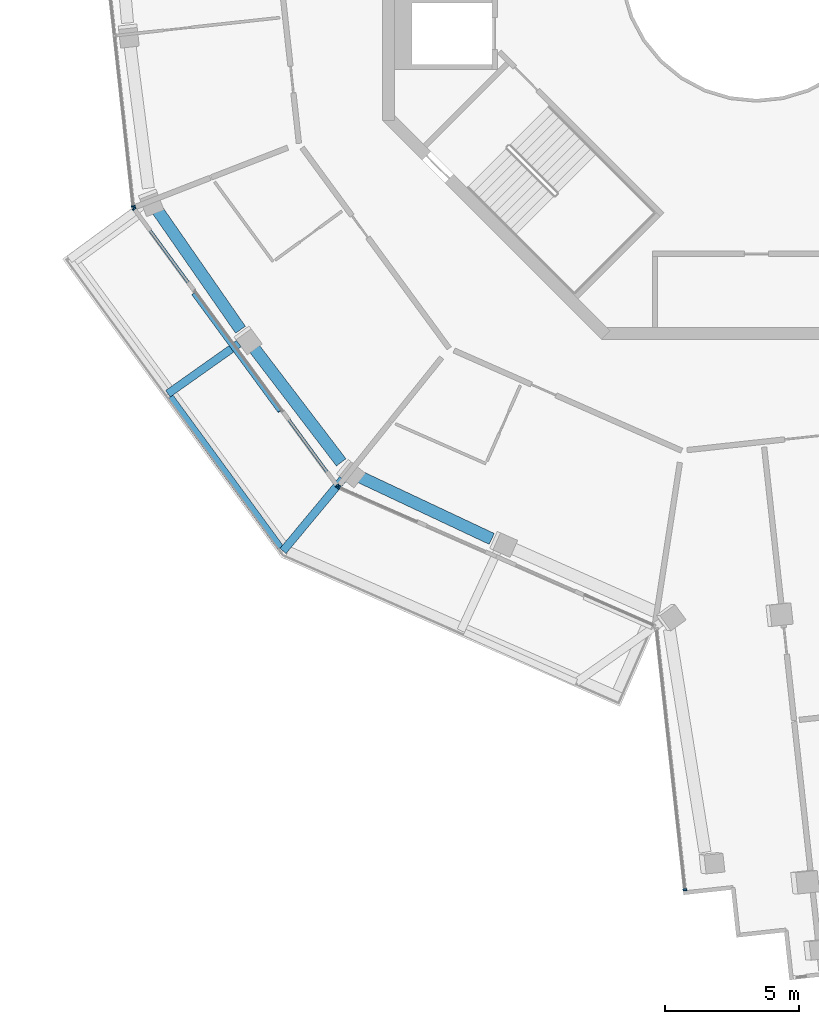
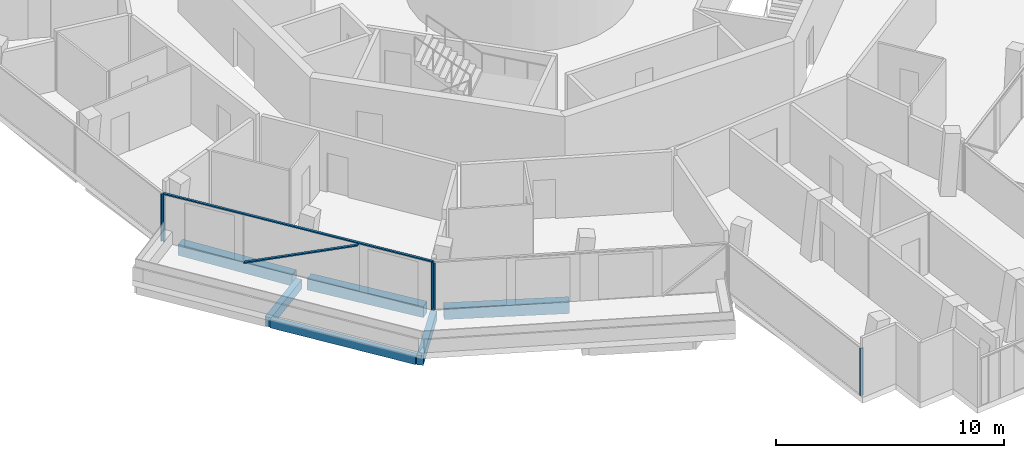
# One storey, part 2 of 24: 7 members, 6 beams, 4 elements without a shape of their own.
"""IFC4 building model written with IfcOpenShell, lengths in metres."""

from ifc_helpers import new_model, si_unit, direction, frame, origin, origin_2d, place, context, subcontext, project, spatial, rectangle, extrude, material, layer, layer_set, material_profile, profile_set, type_object, element, aggregate, save


model = new_model("IFC4")

# Units and contexts
model_context = context("Model", 3, precision=1e-05, world=origin(), true_north=direction((0.0, 1.0)))
body_context = subcontext(model_context, "Body", "Model", "MODEL_VIEW")
ifc_project = project(units=[si_unit("LENGTHUNIT", "METRE"), si_unit("AREAUNIT", "SQUARE_METRE"), si_unit("VOLUMEUNIT", "CUBIC_METRE"), si_unit("PLANEANGLEUNIT", "RADIAN"), si_unit("MASSUNIT", "GRAM", prefix="KILO")], contexts=[model_context])

# Site, building, storey
site_placement = place(None, origin())
site = spatial("IfcSite", under=ifc_project, at=site_placement, CompositionType="ELEMENT")
building_placement = place(site_placement, origin())
building = spatial("IfcBuilding", under=site, at=building_placement, Name="Verdalira Terraces Hotel", CompositionType="ELEMENT")
storey_placement = place(building_placement, frame((0.0, 0.0, 303.0)))
storey = spatial("IfcBuildingStorey", under=building, at=storey_placement, Name="L75", CompositionType="ELEMENT", Elevation=303.0)

# Beams
ifc_material_1 = material(Name="Concrete C40", Category="concrete")
ifc_material_profile_1 = material_profile(ifc_material_1, rectangle(XDim=0.300049, YDim=0.5, at=origin_2d()), Name="RC 300X500")
ifc_profile_set_1 = profile_set([ifc_material_profile_1], Name="Concrete C40")
beam_type_1 = type_object("IfcBeamType", Name="Balcony cantilever beam RC 300X500 C40", PredefinedType="BEAM", material=ifc_profile_set_1)
beam_1_placement = place(storey_placement, frame((-19.387695, -14.159668, -0.560059), z_axis=(-0.816328411, -0.577588023, 0.0), x_axis=(0.577588023, -0.816328411, 0.0)))
element("IfcBeam", 1, at=beam_1_placement, inside=storey, type_object=beam_type_1, Name="Balcony cantilever beam R12-4", PredefinedType="BEAM", context=body_context, shape_type="SweptSolid", body=[
    extrude(rectangle(XDim=0.300049, YDim=0.5, at=origin_2d()), origin(), (0.0, 0.0, 1.0), 3.250977),
])
beam_2_placement = place(storey_placement, frame((-15.494873, -19.232422, -0.560059), z_axis=(-0.639100284, -0.769123414, 0.0), x_axis=(0.769123414, -0.639100284, 0.0)))
element("IfcBeam", 2, at=beam_2_placement, inside=storey, type_object=beam_type_1, Name="Balcony cantilever beam R12-5", PredefinedType="BEAM", context=body_context, shape_type="SweptSolid", body=[
    extrude(rectangle(XDim=0.300049, YDim=0.5, at=origin_2d()), origin(), (0.0, 0.0, 1.0), 3.501953),
])
ifc_material_2 = material(Name="Concrete C40", Category="concrete")
ifc_material_profile_2 = material_profile(ifc_material_2, rectangle(XDim=0.25, YDim=0.449951, at=origin_2d()), Name="RC 250X450")
ifc_profile_set_2 = profile_set([ifc_material_profile_2], Name="Concrete C40")
beam_type_2 = type_object("IfcBeamType", Name="Balcony edge beam RC 250X450 C40", PredefinedType="BEAM", material=ifc_profile_set_2)
beam_3_placement = place(storey_placement, frame((-21.952881, -16.158447, -0.534912), z_axis=(0.590505002, -0.807033978, 0.0), x_axis=(0.807033978, 0.590505002, 0.0)))
element("IfcBeam", 3, at=beam_3_placement, inside=storey, type_object=beam_type_2, Name="Balcony edge beam R12-3", PredefinedType="BEAM", context=body_context, shape_type="SweptSolid", body=[
    extrude(rectangle(XDim=0.25, YDim=0.449951, at=origin_2d()), origin(), (0.0, 0.0, 1.0), 6.991699),
])

# Curtain wall, member
ifc_material_3 = material(Name="Clear glass", Category="glass")
ifc_layer_1 = layer(ifc_material_3, 0.14990234375)
ifc_layer_set_1 = layer_set([ifc_layer_1], Name="CW1 curtain wall")
curtain_wall_type_1 = type_object("IfcCurtainWallType", Name="CW1 curtain wall", PredefinedType="NOTDEFINED", material=ifc_layer_set_1)
curtain_wall_1_placement = place(storey_placement, origin())
curtain_wall_1 = element("IfcCurtainWall", 4, at=curtain_wall_1_placement, inside=storey, type_object=curtain_wall_type_1, Name="CW1 curtain wall L75 edge 11", PredefinedType="NOTDEFINED")
ifc_material_4 = material(Name="Terracotta frame", Category="masonry")
ifc_material_profile_3 = material_profile(ifc_material_4, rectangle(XDim=0.060059, YDim=0.149902, at=origin_2d()), Name="MU 60x150")
ifc_profile_set_3 = profile_set([ifc_material_profile_3], Name="Terracotta frame")
member_type_1 = type_object("IfcMemberType", Name="CW1 mullion 60x150", PredefinedType="MULLION", material=ifc_profile_set_3)
member_1_placement = place(storey_placement, frame((-23.341064, -9.020264, 0.0), z_axis=(0.0, 0.0, 1.0), x_axis=(0.108693378, -0.994075324, 0.0)))
member_1 = element("IfcMember", 5, at=member_1_placement, type_object=member_type_1, Name="CW1 mullion", PredefinedType="MULLION", context=body_context, shape_type="SweptSolid", body=[
    extrude(rectangle(XDim=0.060059, YDim=0.149902, at=origin_2d()), origin(), (0.0, 0.0, 1.0), 2.524902),
])
aggregate(curtain_wall_1, [member_1])

# Curtain wall, members
curtain_wall_2_placement = place(storey_placement, origin())
curtain_wall_2 = element("IfcCurtainWall", 6, at=curtain_wall_2_placement, inside=storey, type_object=curtain_wall_type_1, Name="CW1 curtain wall L75 edge 12", PredefinedType="NOTDEFINED")
member_2_placement = place(storey_placement, frame((-23.306152, -9.110596, 0.0), z_axis=(0.0, 0.0, 1.0), x_axis=(0.591168888, -0.806547795, 0.0)))
member_2 = element("IfcMember", 7, at=member_2_placement, type_object=member_type_1, Name="CW1 mullion", PredefinedType="MULLION", context=body_context, shape_type="SweptSolid", body=[
    extrude(rectangle(XDim=0.060059, YDim=0.149902, at=origin_2d()), origin(), (0.0, 0.0, 1.0), 2.524902),
])
member_3_placement = place(storey_placement, frame((-15.703857, -19.482422, 0.0), z_axis=(0.0, 0.0, 1.0), x_axis=(0.591168888, -0.806547795, 0.0)))
member_3 = element("IfcMember", 8, at=member_3_placement, type_object=member_type_1, Name="CW1 mullion", PredefinedType="MULLION", context=body_context, shape_type="SweptSolid", body=[
    extrude(rectangle(XDim=0.060059, YDim=0.149902, at=origin_2d()), origin(), (0.0, 0.0, 1.0), 2.524902),
])

# Curtain wall, member
curtain_wall_3_placement = place(storey_placement, origin())
curtain_wall_3 = element("IfcCurtainWall", 9, at=curtain_wall_3_placement, inside=storey, type_object=curtain_wall_type_1, Name="CW1 curtain wall L75 edge 13", PredefinedType="NOTDEFINED")
member_4_placement = place(storey_placement, frame((-15.628418, -19.542969, 0.0), z_axis=(0.0, 0.0, 1.0), x_axis=(0.915241173, -0.402906436, 0.0)))
member_4 = element("IfcMember", 10, at=member_4_placement, type_object=member_type_1, Name="CW1 mullion", PredefinedType="MULLION", context=body_context, shape_type="SweptSolid", body=[
    extrude(rectangle(XDim=0.060059, YDim=0.149902, at=origin_2d()), origin(), (0.0, 0.0, 1.0), 2.524902),
])
aggregate(curtain_wall_3, [member_4])

# Member
ifc_material_5 = material(Name="Terracotta frame", Category="masonry")
ifc_material_profile_4 = material_profile(ifc_material_5, rectangle(XDim=0.110107, YDim=0.064941, at=origin_2d()), Name="TR 65x110")
ifc_profile_set_4 = profile_set([ifc_material_profile_4], Name="Terracotta frame")
member_type_2 = type_object("IfcMemberType", Name="CW1 transom 65x110", PredefinedType="USERDEFINED", material=ifc_profile_set_4)
member_5_placement = place(storey_placement, frame((-23.32373, -9.086182, 2.557617), z_axis=(0.591153101, -0.806559366, 0.0), x_axis=(0.806559366, 0.591153101, 0.0)))
member_5 = element("IfcMember", 11, at=member_5_placement, type_object=member_type_2, Name="CW1 transom", ObjectType="TRANSOM", PredefinedType="USERDEFINED", context=body_context, shape_type="SweptSolid", body=[
    extrude(rectangle(XDim=0.110107, YDim=0.064941, at=origin_2d()), origin(), (0.0, 0.0, 1.0), 12.919678),
])

# Curtain wall, member
ifc_material_6 = material(Name="Clear glass", Category="glass")
ifc_layer_2 = layer(ifc_material_6, 0.14990234375)
ifc_layer_set_2 = layer_set([ifc_layer_2], Name="CW2 curtain wall")
curtain_wall_type_2 = type_object("IfcCurtainWallType", Name="CW2 curtain wall", PredefinedType="NOTDEFINED", material=ifc_layer_set_2)
curtain_wall_4_placement = place(storey_placement, origin())
curtain_wall_4 = element("IfcCurtainWall", 12, at=curtain_wall_4_placement, inside=storey, type_object=curtain_wall_type_2, Name="CW2 curtain wall L75 edge 14", PredefinedType="NOTDEFINED")
ifc_material_7 = material(Name="Terracotta frame", Category="masonry")
ifc_material_profile_5 = material_profile(ifc_material_7, rectangle(XDim=0.070068, YDim=0.149902, at=origin_2d()), Name="MU 70x150")
ifc_profile_set_5 = profile_set([ifc_material_profile_5], Name="Terracotta frame")
member_type_3 = type_object("IfcMemberType", Name="CW2 mullion 70x150", PredefinedType="MULLION", material=ifc_profile_set_5)
member_6_placement = place(storey_placement, frame((-2.678467, -34.614746, 0.0), z_axis=(0.0, 0.0, 1.0), x_axis=(0.108693378, -0.994075324, 0.0)))
member_6 = element("IfcMember", 13, at=member_6_placement, type_object=member_type_3, Name="CW2 mullion", PredefinedType="MULLION", context=body_context, shape_type="SweptSolid", body=[
    extrude(rectangle(XDim=0.070068, YDim=0.149902, at=origin_2d()), origin(), (0.0, 0.0, 1.0), 2.524902),
])
aggregate(curtain_wall_4, [member_6])

# Member
ifc_material_8 = material(Name="Terracotta frame", Category="masonry")
ifc_material_profile_6 = material_profile(ifc_material_8, rectangle(XDim=0.149902, YDim=0.060059, at=origin_2d()), Name="GB 60x150")
ifc_profile_set_6 = profile_set([ifc_material_profile_6], Name="Terracotta frame")
member_type_4 = type_object("IfcMemberType", Name="Diagonal glazing bar 60x150", PredefinedType="USERDEFINED", material=ifc_profile_set_6)
member_7_placement = place(storey_placement, frame((-21.084717, -12.291748, 0.028076), z_axis=(0.538696306, -0.734948768, 0.411893917), x_axis=(0.806544245, 0.591173732, 0.0)))
member_7 = element("IfcMember", 14, at=member_7_placement, type_object=member_type_4, Name="Diagonal glazing bar", ObjectType="GLAZING BAR", PredefinedType="USERDEFINED", context=body_context, shape_type="SweptSolid", body=[
    extrude(rectangle(XDim=0.149902, YDim=0.060059, at=origin_2d()), origin(), (0.0, 0.0, 1.0), 5.993652),
])

aggregate(curtain_wall_2, [member_2, member_3, member_5, member_7])

# Beams
ifc_material_9 = material(Name="Concrete C40", Category="concrete")
ifc_material_profile_7 = material_profile(ifc_material_9, rectangle(XDim=0.449951, YDim=0.600098, at=origin_2d()), Name="RC 450X600")
ifc_profile_set_7 = profile_set([ifc_material_profile_7], Name="Concrete C40")
beam_type_3 = type_object("IfcBeamType", Name="Spandrel beam RC 450X600 C40", PredefinedType="SPANDREL", material=ifc_profile_set_7)
beam_4_placement = place(storey_placement, frame((-22.47583, -9.104492, -0.610107), z_axis=(0.570712186, -0.82115017, 0.0), x_axis=(0.82115017, 0.570712186, 0.0)))
element("IfcBeam", 15, at=beam_4_placement, inside=storey, type_object=beam_type_3, Name="Spandrel beam B06", PredefinedType="SPANDREL", context=body_context, shape_type="SweptSolid", body=[
    extrude(rectangle(XDim=0.449951, YDim=0.600098, at=origin_2d()), origin(), (0.0, 0.0, 1.0), 5.523438),
])
beam_5_placement = place(storey_placement, frame((-18.9021, -14.218018, -0.610107), z_axis=(0.606622579, -0.794989966, 0.0), x_axis=(0.794989966, 0.606622579, 0.0)))
element("IfcBeam", 16, at=beam_5_placement, inside=storey, type_object=beam_type_3, Name="Spandrel beam B07", PredefinedType="SPANDREL", context=body_context, shape_type="SweptSolid", body=[
    extrude(rectangle(XDim=0.449951, YDim=0.600098, at=origin_2d()), origin(), (0.0, 0.0, 1.0), 5.52124),
])
beam_6_placement = place(storey_placement, frame((-14.912354, -19.122559, -0.610107), z_axis=(0.904833727, -0.425765108, 0.0), x_axis=(0.425765108, 0.904833727, 0.0)))
element("IfcBeam", 17, at=beam_6_placement, inside=storey, type_object=beam_type_3, Name="Spandrel beam B08", PredefinedType="SPANDREL", context=body_context, shape_type="SweptSolid", body=[
    extrude(rectangle(XDim=0.449951, YDim=0.600098, at=origin_2d()), origin(), (0.0, 0.0, 1.0), 5.523682),
])

save(model, "model.ifc")
